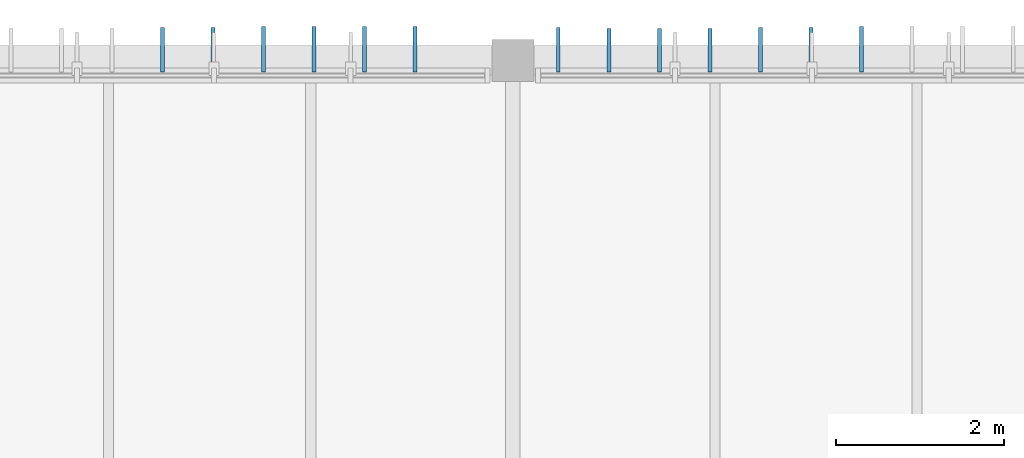
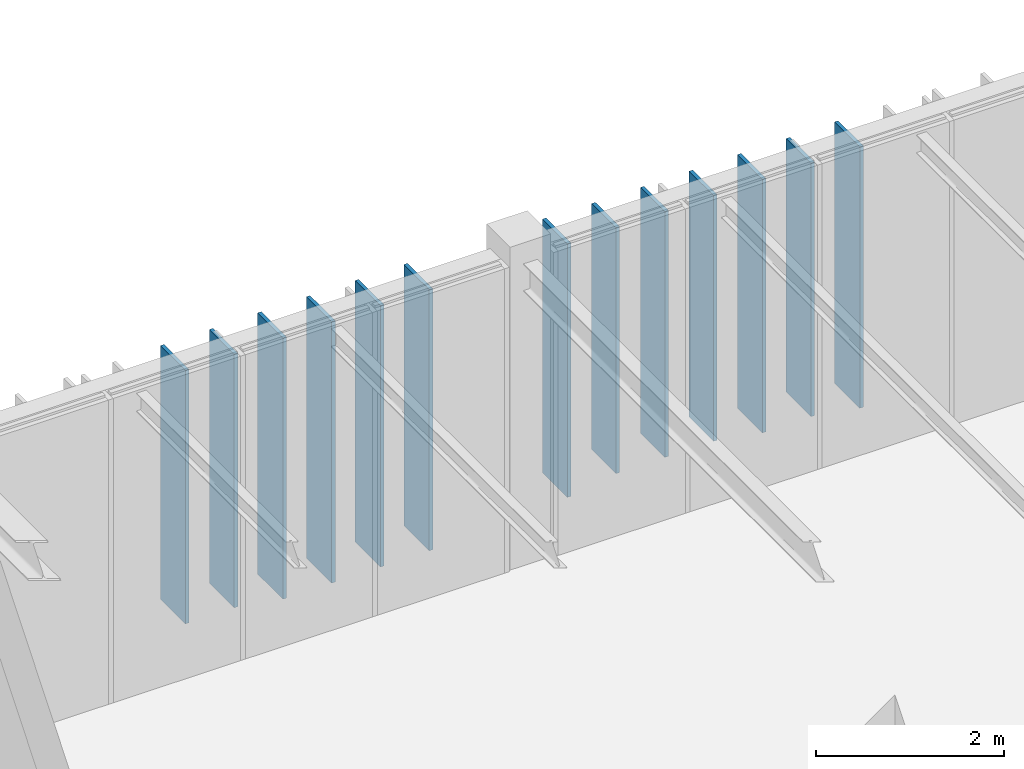
# One storey, part 29 of 104: 13 plates.
"""IFC4 building model written with IfcOpenShell, lengths in metres."""

from ifc_helpers import new_model, si_unit, direction, frame, origin, origin_2d, place, context, subcontext, project, spatial, rectangle, extrude, material, layer, layer_set, type_object, element, save


model = new_model("IFC4")

# Units and contexts
model_context = context("Model", 3, precision=1e-05, world=origin(), true_north=direction((0.0, 1.0)))
body_context = subcontext(model_context, "Body", "Model", "MODEL_VIEW")
ifc_project = project(units=[si_unit("LENGTHUNIT", "METRE"), si_unit("AREAUNIT", "SQUARE_METRE"), si_unit("VOLUMEUNIT", "CUBIC_METRE"), si_unit("PLANEANGLEUNIT", "RADIAN"), si_unit("MASSUNIT", "GRAM", prefix="KILO")], contexts=[model_context])

# Site, building, storey
site_placement = place(None, origin())
site = spatial("IfcSite", under=ifc_project, at=site_placement, CompositionType="ELEMENT")
building_placement = place(site_placement, origin())
building = spatial("IfcBuilding", under=site, at=building_placement, Name="Tazoul Stagehouse", CompositionType="ELEMENT")
storey_placement = place(building_placement, frame((0.0, 0.0, 9.0)))
storey = spatial("IfcBuildingStorey", under=building, at=storey_placement, Name="L02", CompositionType="ELEMENT", Elevation=9.0)

# Plates
ifc_material = material(Name="Anodised Bronze Aluminium 6063-T6", Category="aluminium")
ifc_layer_1 = layer(ifc_material, 0.52001953125, Name="Anodised Bronze Aluminium 6063-T6")
ifc_layer_set_1 = layer_set([ifc_layer_1], Name="Anodised Bronze Aluminium 6063-T6")
plate_type_1 = type_object("IfcPlateType", Name="Parametric Terracotta-Bronze Solar Fin 520x3200", PredefinedType="USERDEFINED", material=ifc_layer_set_1)
for number, where, z_axis, x_axis, name in (
    (1, (110.93994140625, 111.919921875, 0.7099609375), (0.0, 0.0, 1.0), (1.0, 0.0, 0.0), "L02 Parametric Solar Fin SFN-18 (CW-V3-N1-L02-B2-02)"),
    (2, (111.5400390625, 111.919921875, 0.7099609375), (0.0, 0.0, 1.0), (1.0, 0.0, 0.0), "L02 Parametric Solar Fin SFN-18 (CW-V3-N1-L02-B2-03)"),
    (3, (112.139892578125, 111.919921875, 0.7099609375), (0.0, 0.0, 1.0), (1.0, 0.0, 0.0), "L02 Parametric Solar Fin SFN-18 (CW-V3-N1-L02-B2-04)"),
):
    element("IfcPlate", number, at=place(storey_placement, frame(where, z_axis=z_axis, x_axis=x_axis)), inside=storey, type_object=plate_type_1, Name=name, ObjectType="SOLAR FIN", PredefinedType="USERDEFINED", context=body_context, shape_type="SweptSolid", body=[
        extrude(rectangle(XDim=0.044921875, YDim=0.52001953125, at=origin_2d()), origin(), (0.0, 0.0, 1.0), 3.199951171875),
    ])
ifc_layer_2 = layer(ifc_material, 0.530029296875, Name="Anodised Bronze Aluminium 6063-T6")
ifc_layer_set_2 = layer_set([ifc_layer_2], Name="Anodised Bronze Aluminium 6063-T6")
plate_type_2 = type_object("IfcPlateType", Name="Parametric Terracotta-Bronze Solar Fin 530x3300", PredefinedType="USERDEFINED", material=ifc_layer_set_2)
for number, where, z_axis, x_axis, name in (
    (4, (105.639892578125, 111.925048828125, 0.60986328125), (0.0, 0.0, 1.0), (1.0, 0.0, 0.0), "L02 Parametric Solar Fin SFN-19 (CW-V3-N1-L02-B1-05)"),
    (5, (106.239990234375, 111.925048828125, 0.60986328125), (0.0, 0.0, 1.0), (1.0, 0.0, 0.0), "L02 Parametric Solar Fin SFN-19 (CW-V3-N1-L02-B1-06)"),
    (6, (110.340087890625, 111.925048828125, 0.60986328125), (0.0, 0.0, 1.0), (1.0, 0.0, 0.0), "L02 Parametric Solar Fin SFN-19 (CW-V3-N1-L02-B2-01)"),
    (7, (112.739990234375, 111.925048828125, 0.60986328125), (0.0, 0.0, 1.0), (1.0, 0.0, 0.0), "L02 Parametric Solar Fin SFN-19 (CW-V3-N1-L02-B2-05)"),
    (8, (113.340087890625, 111.925048828125, 0.60986328125), (0.0, 0.0, 1.0), (1.0, 0.0, 0.0), "L02 Parametric Solar Fin SFN-19 (CW-V3-N1-L02-B2-06)"),
):
    element("IfcPlate", number, at=place(storey_placement, frame(where, z_axis=z_axis, x_axis=x_axis)), inside=storey, type_object=plate_type_2, Name=name, ObjectType="SOLAR FIN", PredefinedType="USERDEFINED", context=body_context, shape_type="SweptSolid", body=[
        extrude(rectangle(XDim=0.044921875, YDim=0.530029296875, at=origin_2d()), origin(), (0.0, 0.0, 1.0), 3.300048828125),
    ])
ifc_layer_3 = layer(ifc_material, 0.5400390625, Name="Anodised Bronze Aluminium 6063-T6")
ifc_layer_set_3 = layer_set([ifc_layer_3], Name="Anodised Bronze Aluminium 6063-T6")
plate_type_3 = type_object("IfcPlateType", Name="Parametric Terracotta-Bronze Solar Fin 540x3400", PredefinedType="USERDEFINED", material=ifc_layer_set_3)
for number, where, z_axis, x_axis, name in (
    (9, (106.840087890625, 111.929931640625, 0.510009765625), (0.0, 0.0, 1.0), (1.0, 0.0, 0.0), "L02 Parametric Solar Fin SFN-20 (CW-V3-N1-L02-B1-07)"),
    (10, (107.43994140625, 111.929931640625, 0.510009765625), (0.0, 0.0, 1.0), (1.0, 0.0, 0.0), "L02 Parametric Solar Fin SFN-20 (CW-V3-N1-L02-B1-08)"),
    (11, (108.0400390625, 111.929931640625, 0.510009765625), (0.0, 0.0, 1.0), (1.0, 0.0, 0.0), "L02 Parametric Solar Fin SFN-20 (CW-V3-N1-L02-B1-09)"),
    (12, (108.639892578125, 111.929931640625, 0.510009765625), (0.0, 0.0, 1.0), (1.0, 0.0, 0.0), "L02 Parametric Solar Fin SFN-20 (CW-V3-N1-L02-B1-10)"),
    (13, (113.93994140625, 111.929931640625, 0.510009765625), (0.0, 0.0, 1.0), (1.0, 0.0, 0.0), "L02 Parametric Solar Fin SFN-20 (CW-V3-N1-L02-B2-07)"),
):
    element("IfcPlate", number, at=place(storey_placement, frame(where, z_axis=z_axis, x_axis=x_axis)), inside=storey, type_object=plate_type_3, Name=name, ObjectType="SOLAR FIN", PredefinedType="USERDEFINED", context=body_context, shape_type="SweptSolid", body=[
        extrude(rectangle(XDim=0.044921875, YDim=0.5400390625, at=origin_2d()), origin(), (0.0, 0.0, 1.0), 3.39990234375),
    ])

save(model, "model.ifc")
